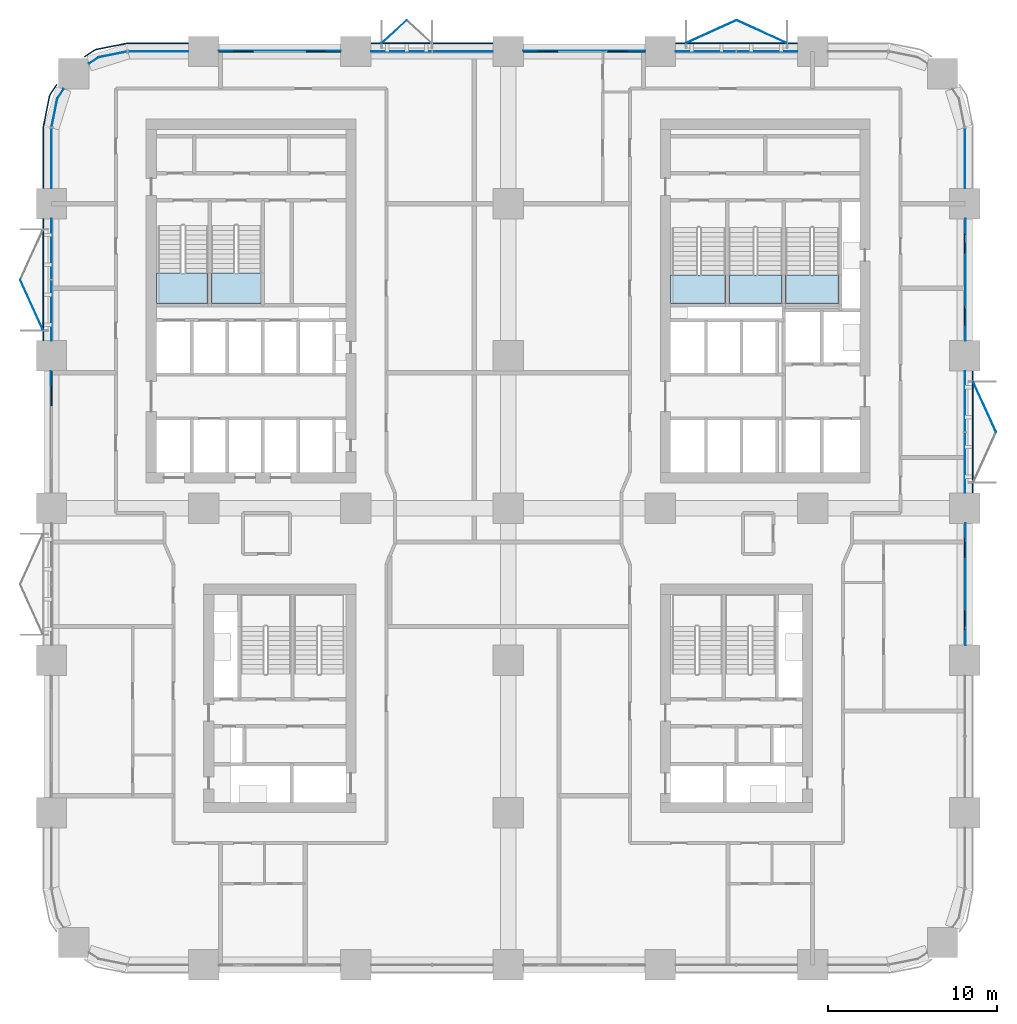
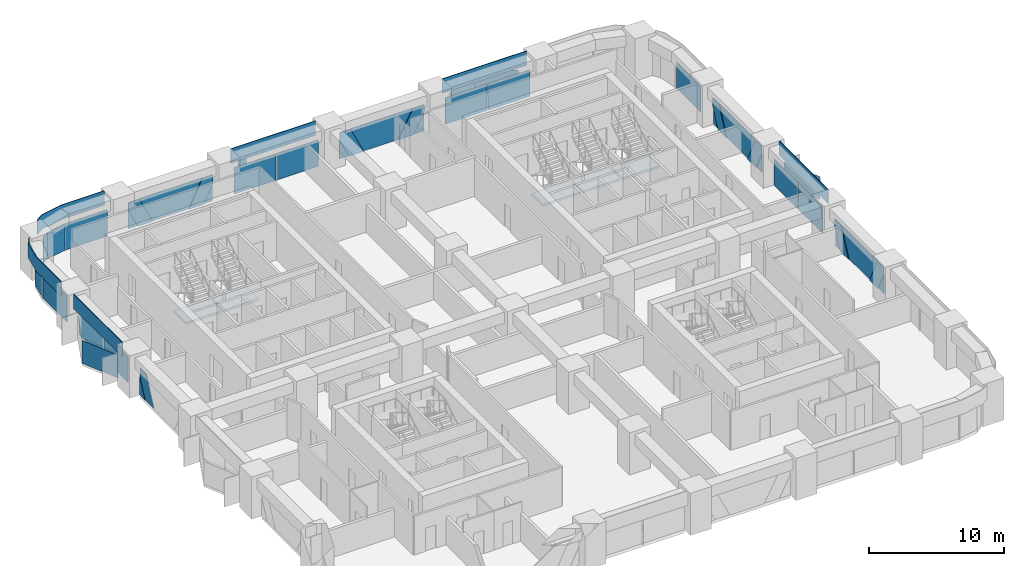
# One storey, part 10 of 21: 46 plates, 5 slabs, 17 elements without a shape of their own.
"""IFC4 building model written with IfcOpenShell, lengths in metres."""

from ifc_helpers import new_model, si_unit, direction, frame, origin, origin_2d, place, context, subcontext, project, spatial, polyline, rectangle, outline, extrude, material, layer, layer_set, type_object, element, aggregate, save


model = new_model("IFC4")

# Units and contexts
model_context = context("Model", 3, precision=1e-05, world=origin(), true_north=direction((0.0, 1.0)))
body_context = subcontext(model_context, "Body", "Model", "MODEL_VIEW")
ifc_project = project(units=[si_unit("LENGTHUNIT", "METRE"), si_unit("AREAUNIT", "SQUARE_METRE"), si_unit("VOLUMEUNIT", "CUBIC_METRE"), si_unit("PLANEANGLEUNIT", "RADIAN"), si_unit("MASSUNIT", "GRAM", prefix="KILO")], contexts=[model_context])

# Site, building, storey
site_placement = place(None, origin())
site = spatial("IfcSite", under=ifc_project, at=site_placement, CompositionType="ELEMENT")
building_placement = place(site_placement, origin())
building = spatial("IfcBuilding", under=site, at=building_placement, Name="Tessera Arch", CompositionType="ELEMENT")
storey_placement = place(building_placement, frame((0.0, 0.0, 42.39990234375)))
storey = spatial("IfcBuildingStorey", under=building, at=storey_placement, Name="L08", CompositionType="ELEMENT", Elevation=42.39990234375)

# Curtain wall, plates
ifc_material_1 = material(Name="CW1 curtain wall")
curtain_wall_type_1 = type_object("IfcCurtainWallType", Name="CW1 curtain wall", PredefinedType="NOTDEFINED", material=ifc_material_1)
curtain_wall_1_placement = place(storey_placement, origin())
curtain_wall_1 = element("IfcCurtainWall", 1, at=curtain_wall_1_placement, inside=storey, type_object=curtain_wall_type_1, Name="CW1 curtain wall E54.0/3 L08", PredefinedType="NOTDEFINED")
ifc_material_2 = material(Name="Clear low-e glass", Category="glass")
ifc_material_3 = material(Name="Clear low-e glass", Category="glass")
ifc_layer_1 = layer(ifc_material_3, 0.028076171875)
ifc_layer_set_1 = layer_set([ifc_layer_1], Name="CW1 glass panel")
plate_type_1 = type_object("IfcPlateType", Name="CW1 glass panel", PredefinedType="CURTAIN_PANEL", material=ifc_layer_set_1)
plate_1_placement = place(storey_placement, frame((54.0, 29.68505859375, 0.000244140625), z_axis=(0.0, 0.0, 1.0), x_axis=(0.0, 1.0, 0.0)))
plate_1 = element("IfcPlate", 2, at=plate_1_placement, type_object=plate_type_1, material=ifc_material_2, Name="CW1 glass panel E54.0/3 1.1.1", PredefinedType="CURTAIN_PANEL", context=body_context, shape_type="SweptSolid", body=[
    extrude(rectangle(XDim=3.570068359375, YDim=0.028076171875, at=origin_2d()), origin(), (0.0, 0.0, 1.0), 2.39990234375),
])
plate_2_placement = place(storey_placement, frame((54.0, 33.31494140625, 0.000244140625), z_axis=(0.0, 0.0, 1.0), x_axis=(0.0, 1.0, 0.0)))
plate_2 = element("IfcPlate", 3, at=plate_2_placement, type_object=plate_type_1, material=ifc_material_2, Name="CW1 glass panel E54.0/3 1.2.1", PredefinedType="CURTAIN_PANEL", context=body_context, shape_type="SweptSolid", body=[
    extrude(rectangle(XDim=3.570068359375, YDim=0.028076171875, at=origin_2d()), origin(), (0.0, 0.0, 1.0), 2.39990234375),
])

curtain_wall_2_placement = place(storey_placement, origin())
curtain_wall_2 = element("IfcCurtainWall", 4, at=curtain_wall_2_placement, inside=storey, type_object=curtain_wall_type_1, Name="CW1 curtain wall N54.0/1 L08", PredefinedType="NOTDEFINED")
plate_3_placement = place(storey_placement, frame((42.31494140625, 54.0, 0.000244140625), z_axis=(0.0, 0.0, 1.0), x_axis=(-1.0, 0.0, 0.0)))
plate_3 = element("IfcPlate", 5, at=plate_3_placement, type_object=plate_type_1, material=ifc_material_2, Name="CW1 glass panel N54.0/1 1.1.1", PredefinedType="CURTAIN_PANEL", context=body_context, shape_type="SweptSolid", body=[
    extrude(rectangle(XDim=3.570068359375, YDim=0.028076171875, at=origin_2d()), origin(), (0.0, 0.0, 1.0), 2.39990234375),
])
plate_4_placement = place(storey_placement, frame((38.68505859375, 54.0, 0.000244140625), z_axis=(0.0, 0.0, 1.0), x_axis=(-1.0, 0.0, 0.0)))
plate_4 = element("IfcPlate", 6, at=plate_4_placement, type_object=plate_type_1, material=ifc_material_2, Name="CW1 glass panel N54.0/1 1.2.1", PredefinedType="CURTAIN_PANEL", context=body_context, shape_type="SweptSolid", body=[
    extrude(rectangle(XDim=3.570068359375, YDim=0.028076171875, at=origin_2d()), origin(), (0.0, 0.0, 1.0), 2.39990234375),
])

curtain_wall_3_placement = place(storey_placement, origin())
curtain_wall_3 = element("IfcCurtainWall", 7, at=curtain_wall_3_placement, inside=storey, type_object=curtain_wall_type_1, Name="CW1 curtain wall N54.0/3 L08", PredefinedType="NOTDEFINED")
plate_5_placement = place(storey_placement, frame((24.31494140625, 54.0, 0.000244140625), z_axis=(0.0, 0.0, 1.0), x_axis=(-1.0, 0.0, 0.0)))
plate_5 = element("IfcPlate", 8, at=plate_5_placement, type_object=plate_type_1, material=ifc_material_2, Name="CW1 glass panel N54.0/3 1.1.1", PredefinedType="CURTAIN_PANEL", context=body_context, shape_type="SweptSolid", body=[
    extrude(rectangle(XDim=3.570068359375, YDim=0.028076171875, at=origin_2d()), origin(), (0.0, 0.0, 1.0), 2.39990234375),
])
plate_6_placement = place(storey_placement, frame((20.68505859375, 54.0, 0.000244140625), z_axis=(0.0, 0.0, 1.0), x_axis=(-1.0, 0.0, 0.0)))
plate_6 = element("IfcPlate", 9, at=plate_6_placement, type_object=plate_type_1, material=ifc_material_2, Name="CW1 glass panel N54.0/3 1.2.1", PredefinedType="CURTAIN_PANEL", context=body_context, shape_type="SweptSolid", body=[
    extrude(rectangle(XDim=3.570068359375, YDim=0.028076171875, at=origin_2d()), origin(), (0.0, 0.0, 1.0), 2.39990234375),
])

curtain_wall_4_placement = place(storey_placement, origin())
curtain_wall_4 = element("IfcCurtainWall", 10, at=curtain_wall_4_placement, inside=storey, type_object=curtain_wall_type_1, Name="CW1 curtain wall W0.0/1 L08", PredefinedType="NOTDEFINED")
plate_7_placement = place(storey_placement, frame((0.0, 42.31494140625, 0.000244140625), z_axis=(0.0, 0.0, 1.0), x_axis=(0.0, -1.0, 0.0)))
plate_7 = element("IfcPlate", 11, at=plate_7_placement, type_object=plate_type_1, material=ifc_material_2, Name="CW1 glass panel W0.0/1 1.1.1", PredefinedType="CURTAIN_PANEL", context=body_context, shape_type="SweptSolid", body=[
    extrude(rectangle(XDim=3.570068359375, YDim=0.028076171875, at=origin_2d()), origin(), (0.0, 0.0, 1.0), 2.39990234375),
])
plate_8_placement = place(storey_placement, frame((0.0, 38.68505859375, 0.000244140625), z_axis=(0.0, 0.0, 1.0), x_axis=(0.0, -1.0, 0.0)))
plate_8 = element("IfcPlate", 12, at=plate_8_placement, type_object=plate_type_1, material=ifc_material_2, Name="CW1 glass panel W0.0/1 1.2.1", PredefinedType="CURTAIN_PANEL", context=body_context, shape_type="SweptSolid", body=[
    extrude(rectangle(XDim=3.570068359375, YDim=0.028076171875, at=origin_2d()), origin(), (0.0, 0.0, 1.0), 2.39990234375),
])

# Plate
ifc_material_4 = material(Name="Pale anodised aluminium panel", Category="aluminium")
ifc_layer_2 = layer(ifc_material_4, 0.06005859375)
ifc_layer_set_2 = layer_set([ifc_layer_2], Name="CW1 spandrel panel")
plate_type_2 = type_object("IfcPlateType", Name="CW1 spandrel panel", PredefinedType="CURTAIN_PANEL", material=ifc_layer_set_2)
plate_9_placement = place(storey_placement, frame((54.47998046875, 31.5, 2.5), z_axis=(0.0, 0.0, 1.0), x_axis=(0.0, 1.0, 0.0)))
plate_9 = element("IfcPlate", 13, at=plate_9_placement, type_object=plate_type_2, Name="CW1 spandrel panel E54.0/3", PredefinedType="CURTAIN_PANEL", context=body_context, shape_type="SweptSolid", body=[
    extrude(rectangle(XDim=7.199951171875, YDim=0.06005859375, at=origin_2d()), origin(), (0.0, 0.0, 1.0), 1.300048828125),
])

aggregate(curtain_wall_1, [plate_1, plate_2, plate_9])

plate_10_placement = place(storey_placement, frame((40.5, 54.47998046875, 2.5), z_axis=(0.0, 0.0, 1.0), x_axis=(-1.0, 0.0, 0.0)))
plate_10 = element("IfcPlate", 14, at=plate_10_placement, type_object=plate_type_2, Name="CW1 spandrel panel N54.0/1", PredefinedType="CURTAIN_PANEL", context=body_context, shape_type="SweptSolid", body=[
    extrude(rectangle(XDim=7.199951171875, YDim=0.06005859375, at=origin_2d()), origin(), (0.0, 0.0, 1.0), 1.300048828125),
])

aggregate(curtain_wall_2, [plate_3, plate_4, plate_10])

plate_11_placement = place(storey_placement, frame((22.5, 54.47998046875, 2.5), z_axis=(0.0, 0.0, 1.0), x_axis=(-1.0, 0.0, 0.0)))
plate_11 = element("IfcPlate", 15, at=plate_11_placement, type_object=plate_type_2, Name="CW1 spandrel panel N54.0/3", PredefinedType="CURTAIN_PANEL", context=body_context, shape_type="SweptSolid", body=[
    extrude(rectangle(XDim=7.199951171875, YDim=0.06005859375, at=origin_2d()), origin(), (0.0, 0.0, 1.0), 1.300048828125),
])

aggregate(curtain_wall_3, [plate_5, plate_6, plate_11])

plate_12_placement = place(storey_placement, frame((-0.47998046875, 40.5, 2.5), z_axis=(0.0, 0.0, 1.0), x_axis=(0.0, -1.0, 0.0)))
plate_12 = element("IfcPlate", 16, at=plate_12_placement, type_object=plate_type_2, Name="CW1 spandrel panel W0.0/1", PredefinedType="CURTAIN_PANEL", context=body_context, shape_type="SweptSolid", body=[
    extrude(rectangle(XDim=7.199951171875, YDim=0.06005859375, at=origin_2d()), origin(), (0.0, 0.0, 1.0), 1.300048828125),
])

aggregate(curtain_wall_4, [plate_7, plate_8, plate_12])

# Curtain wall, plate
ifc_material_5 = material(Name="CW2 curtain wall")
curtain_wall_type_2 = type_object("IfcCurtainWallType", Name="CW2 curtain wall", PredefinedType="NOTDEFINED", material=ifc_material_5)
curtain_wall_5_placement = place(storey_placement, origin())
curtain_wall_5 = element("IfcCurtainWall", 17, at=curtain_wall_5_placement, inside=storey, type_object=curtain_wall_type_2, Name="CW2 curtain wall E54.0/5 L08", PredefinedType="NOTDEFINED")
ifc_material_6 = material(Name="Clear low-e glass", Category="glass")
ifc_layer_3 = layer(ifc_material_6, 0.028076171875)
ifc_layer_set_3 = layer_set([ifc_layer_3], Name="CW2 glass panel")
plate_type_3 = type_object("IfcPlateType", Name="CW2 glass panel", PredefinedType="CURTAIN_PANEL", material=ifc_layer_set_3)
plate_13_placement = place(storey_placement, frame((54.0, 47.679931640625, 0.000244140625), z_axis=(0.0, 0.0, 1.0), x_axis=(0.0, 1.0, 0.0)))
plate_13 = element("IfcPlate", 18, at=plate_13_placement, type_object=plate_type_3, material=ifc_material_2, Name="CW2 glass panel E54.0/5 1.1", PredefinedType="CURTAIN_PANEL", context=body_context, shape_type="SweptSolid", body=[
    extrude(rectangle(XDim=3.56005859375, YDim=0.028076171875, at=origin_2d()), origin(), (0.0, 0.0, 1.0), 2.39990234375),
])
aggregate(curtain_wall_5, [plate_13])

# Curtain wall, plates
curtain_wall_6_placement = place(storey_placement, origin())
curtain_wall_6 = element("IfcCurtainWall", 19, at=curtain_wall_6_placement, inside=storey, type_object=curtain_wall_type_2, Name="CW2 curtain wall N54.0/5 L08", PredefinedType="NOTDEFINED")
plate_14_placement = place(storey_placement, frame((6.320068359375, 54.0, 0.000244140625), z_axis=(0.0, 0.0, 1.0), x_axis=(-1.0, 0.0, 0.0)))
plate_14 = element("IfcPlate", 20, at=plate_14_placement, type_object=plate_type_3, material=ifc_material_2, Name="CW2 glass panel N54.0/5 1.1", PredefinedType="CURTAIN_PANEL", context=body_context, shape_type="SweptSolid", body=[
    extrude(rectangle(XDim=3.56005859375, YDim=0.028076171875, at=origin_2d()), origin(), (0.0, 0.0, 1.0), 2.39990234375),
])
plate_15_placement = place(storey_placement, origin())
plate_15 = element("IfcPlate", 21, at=plate_15_placement, type_object=plate_type_3, material=ifc_material_2, Name="CW2 curved glass panel N54.0/5 2.1", PredefinedType="CURTAIN_PANEL", context=body_context, shape_type="SweptSolid", body=[
    extrude(outline(polyline([(2.783447265625, 53.644287109375), (4.46337890625, 53.978515625), (4.4580078125, 54.005859375), (2.7724609375, 53.670654296875), (2.210205078125, 53.294921875), (2.225830078125, 53.271728515625), (2.783447265625, 53.644287109375)])), origin(), (0.0, 0.0, 1.0), 2.400146484375),
])

curtain_wall_7_placement = place(storey_placement, origin())
curtain_wall_7 = element("IfcCurtainWall", 22, at=curtain_wall_7_placement, inside=storey, type_object=curtain_wall_type_2, Name="CW2 curtain wall W0.0/0 L08", PredefinedType="NOTDEFINED")
plate_16_placement = place(storey_placement, frame((0.0, 47.679931640625, 0.000244140625), z_axis=(0.0, 0.0, 1.0), x_axis=(0.0, -1.0, 0.0)))
plate_16 = element("IfcPlate", 23, at=plate_16_placement, type_object=plate_type_3, material=ifc_material_2, Name="CW2 glass panel W0.0/0 1.1", PredefinedType="CURTAIN_PANEL", context=body_context, shape_type="SweptSolid", body=[
    extrude(rectangle(XDim=3.56005859375, YDim=0.028076171875, at=origin_2d()), origin(), (0.0, 0.0, 1.0), 2.39990234375),
])
plate_17_placement = place(storey_placement, origin())
plate_17 = element("IfcPlate", 24, at=plate_17_placement, type_object=plate_type_3, material=ifc_material_2, Name="CW2 curved glass panel W0.0/0 2.1", PredefinedType="CURTAIN_PANEL", context=body_context, shape_type="SweptSolid", body=[
    extrude(outline(polyline([(0.355712890625, 51.216552734375), (0.728271484375, 51.774169921875), (0.705078125, 51.789794921875), (0.329345703125, 51.2275390625), (-0.005859375, 49.5419921875), (0.021484375, 49.53662109375), (0.355712890625, 51.216552734375)])), origin(), (0.0, 0.0, 1.0), 2.400146484375),
])

# Plate
ifc_material_7 = material(Name="Pale anodised aluminium panel", Category="aluminium")
ifc_layer_4 = layer(ifc_material_7, 0.06005859375)
ifc_layer_set_4 = layer_set([ifc_layer_4], Name="CW2 spandrel panel")
plate_type_4 = type_object("IfcPlateType", Name="CW2 spandrel panel", PredefinedType="CURTAIN_PANEL", material=ifc_layer_set_4)
plate_18_placement = place(storey_placement, frame((0.0, 0.0, 2.5)))
plate_18 = element("IfcPlate", 25, at=plate_18_placement, type_object=plate_type_4, Name="CW2 spandrel panel N54.0/5", PredefinedType="CURTAIN_PANEL", context=body_context, shape_type="SweptSolid", body=[
    extrude(outline(polyline([(4.500732421875, 54.449951171875), (8.10009765625, 54.449951171875), (8.10009765625, 54.510009765625), (4.499267578125, 54.510009765625), (4.449951171875, 54.507568359375), (4.401123046875, 54.500244140625), (2.677734375, 54.157470703125), (2.6298828125, 54.1455078125), (2.582763671875, 54.128662109375), (2.537353515625, 54.107177734375), (2.4951171875, 54.08203125), (1.9345703125, 53.707275390625), (1.968017578125, 53.657470703125), (2.52734375, 54.03125), (2.565673828125, 54.05419921875), (2.605712890625, 54.0732421875), (2.647216796875, 54.088134765625), (2.69091796875, 54.09912109375), (4.411376953125, 54.441162109375), (4.455810546875, 54.44775390625), (4.500732421875, 54.449951171875)])), origin(), (0.0, 0.0, 1.0), 1.300048828125),
])

aggregate(curtain_wall_6, [plate_14, plate_15, plate_18])

plate_19_placement = place(storey_placement, frame((0.0, 0.0, 2.5)))
plate_19 = element("IfcPlate", 26, at=plate_19_placement, type_object=plate_type_4, Name="CW2 spandrel panel W0.0/0", PredefinedType="CURTAIN_PANEL", context=body_context, shape_type="SweptSolid", body=[
    extrude(outline(polyline([(-0.03125, 51.47265625), (0.342529296875, 52.031982421875), (0.292724609375, 52.0654296875), (-0.08203125, 51.5048828125), (-0.107177734375, 51.462646484375), (-0.128662109375, 51.417236328125), (-0.1455078125, 51.3701171875), (-0.157470703125, 51.322265625), (-0.500244140625, 49.598876953125), (-0.507568359375, 49.550048828125), (-0.510009765625, 49.500732421875), (-0.510009765625, 45.89990234375), (-0.449951171875, 45.89990234375), (-0.449951171875, 49.499267578125), (-0.44775390625, 49.544189453125), (-0.441162109375, 49.588623046875), (-0.09912109375, 51.30908203125), (-0.088134765625, 51.352783203125), (-0.0732421875, 51.394287109375), (-0.05419921875, 51.434326171875), (-0.03125, 51.47265625)])), origin(), (0.0, 0.0, 1.0), 1.300048828125),
])

aggregate(curtain_wall_7, [plate_16, plate_17, plate_19])

# Curtain wall, plates
ifc_material_8 = material(Name="CW3 curtain wall")
curtain_wall_type_3 = type_object("IfcCurtainWallType", Name="CW3 curtain wall", PredefinedType="NOTDEFINED", material=ifc_material_8)
curtain_wall_8_placement = place(storey_placement, origin())
curtain_wall_8 = element("IfcCurtainWall", 27, at=curtain_wall_8_placement, inside=storey, type_object=curtain_wall_type_3, Name="CW3 curtain wall E54.0/2 L08", PredefinedType="NOTDEFINED")
ifc_material_9 = material(Name="Pale anodised aluminium panel", Category="aluminium")
ifc_layer_5 = layer(ifc_material_9, 0.06005859375)
ifc_layer_set_5 = layer_set([ifc_layer_5], Name="CW3 diagonal panel")
plate_type_5 = type_object("IfcPlateType", Name="CW3 diagonal panel", PredefinedType="CURTAIN_PANEL", material=ifc_layer_set_5)
plate_20_placement = place(storey_placement, frame((54.030029296875, 26.10009765625, 2.400146484375), z_axis=(1.0, 0.0, 0.0), x_axis=(0.0, -1.0, 0.0)))
plate_20 = element("IfcPlate", 28, at=plate_20_placement, type_object=plate_type_5, Name="CW3 diagonal panel E54.0/2 1", PredefinedType="CURTAIN_PANEL", context=body_context, shape_type="SweptSolid", body=[
    extrude(outline(polyline([(0.0, 0.0), (0.912841796875, 0.0), (2.049560546875, 2.400146484375), (0.792724609375, 2.400146484375), (0.0, 0.726806640625), (0.0, 0.0)])), origin(), (0.0, 0.0, -1.0), 0.06005859375),
])
plate_21_placement = place(storey_placement, frame((54.030029296875, 18.89990234375, 2.400146484375), z_axis=(1.0, 0.0, 0.0), x_axis=(0.0, 0.0, -1.0)))
plate_21 = element("IfcPlate", 29, at=plate_21_placement, type_object=plate_type_5, Name="CW3 diagonal panel E54.0/2 2", PredefinedType="CURTAIN_PANEL", context=body_context, shape_type="SweptSolid", body=[
    extrude(outline(polyline([(0.0, 0.0), (0.726806640625, 0.0), (2.400146484375, 0.792724609375), (2.400146484375, 2.049560546875), (0.0, 0.912841796875), (0.0, 0.0)])), origin(), (0.0, 0.0, -1.0), 0.06005859375),
])

curtain_wall_9_placement = place(storey_placement, origin())
curtain_wall_9 = element("IfcCurtainWall", 30, at=curtain_wall_9_placement, inside=storey, type_object=curtain_wall_type_3, Name="CW3 curtain wall E54.0/4 L08", PredefinedType="NOTDEFINED")
plate_22_placement = place(storey_placement, frame((54.030029296875, 44.10009765625, 2.400146484375), z_axis=(1.0, 0.0, 0.0), x_axis=(0.0, -1.0, 0.0)))
plate_22 = element("IfcPlate", 31, at=plate_22_placement, type_object=plate_type_5, Name="CW3 diagonal panel E54.0/4 1", PredefinedType="CURTAIN_PANEL", context=body_context, shape_type="SweptSolid", body=[
    extrude(outline(polyline([(0.0, 0.0), (0.912841796875, 0.0), (2.049560546875, 2.400146484375), (0.792724609375, 2.400146484375), (0.0, 0.726806640625), (0.0, 0.0)])), origin(), (0.0, 0.0, -1.0), 0.06005859375),
])
plate_23_placement = place(storey_placement, frame((54.030029296875, 36.89990234375, 2.400146484375), z_axis=(1.0, 0.0, 0.0), x_axis=(0.0, 0.0, -1.0)))
plate_23 = element("IfcPlate", 32, at=plate_23_placement, type_object=plate_type_5, Name="CW3 diagonal panel E54.0/4 2", PredefinedType="CURTAIN_PANEL", context=body_context, shape_type="SweptSolid", body=[
    extrude(outline(polyline([(0.0, 0.0), (0.726806640625, 0.0), (2.400146484375, 0.792724609375), (2.400146484375, 2.049560546875), (0.0, 0.912841796875), (0.0, 0.0)])), origin(), (0.0, 0.0, -1.0), 0.06005859375),
])

curtain_wall_10_placement = place(storey_placement, origin())
curtain_wall_10 = element("IfcCurtainWall", 33, at=curtain_wall_10_placement, inside=storey, type_object=curtain_wall_type_3, Name="CW3 curtain wall N54.0/2 L08", PredefinedType="NOTDEFINED")
plate_24_placement = place(storey_placement, frame((27.89990234375, 54.030029296875, 2.400146484375), z_axis=(0.0, 1.0, 0.0), x_axis=(1.0, 0.0, 0.0)))
plate_24 = element("IfcPlate", 34, at=plate_24_placement, type_object=plate_type_5, Name="CW3 diagonal panel N54.0/2 1", PredefinedType="CURTAIN_PANEL", context=body_context, shape_type="SweptSolid", body=[
    extrude(outline(polyline([(0.0, 0.0), (0.912841796875, 0.0), (2.049560546875, 2.400146484375), (0.792724609375, 2.400146484375), (0.0, 0.726806640625), (0.0, 0.0)])), origin(), (0.0, 0.0, -1.0), 0.06005859375),
])
plate_25_placement = place(storey_placement, frame((35.10009765625, 54.030029296875, 2.400146484375), z_axis=(0.0, 1.0, 0.0), x_axis=(0.0, 0.0, -1.0)))
plate_25 = element("IfcPlate", 35, at=plate_25_placement, type_object=plate_type_5, Name="CW3 diagonal panel N54.0/2 2", PredefinedType="CURTAIN_PANEL", context=body_context, shape_type="SweptSolid", body=[
    extrude(outline(polyline([(0.0, 0.0), (0.6162109375, 0.0), (2.400146484375, 0.9423828125), (2.400146484375, 2.227294921875), (0.0, 0.95947265625), (0.0, 0.0)])), origin(), (0.0, 0.0, -1.0), 0.06005859375),
])

curtain_wall_11_placement = place(storey_placement, origin())
curtain_wall_11 = element("IfcCurtainWall", 36, at=curtain_wall_11_placement, inside=storey, type_object=curtain_wall_type_3, Name="CW3 curtain wall N54.0/4 L08", PredefinedType="NOTDEFINED")
plate_26_placement = place(storey_placement, frame((9.89990234375, 54.030029296875, 2.400146484375), z_axis=(0.0, 1.0, 0.0), x_axis=(1.0, 0.0, 0.0)))
plate_26 = element("IfcPlate", 37, at=plate_26_placement, type_object=plate_type_5, Name="CW3 diagonal panel N54.0/4 1", PredefinedType="CURTAIN_PANEL", context=body_context, shape_type="SweptSolid", body=[
    extrude(outline(polyline([(0.0, 0.0), (0.912841796875, 0.0), (2.049560546875, 2.400146484375), (0.792724609375, 2.400146484375), (0.0, 0.726806640625), (0.0, 0.0)])), origin(), (0.0, 0.0, -1.0), 0.06005859375),
])
plate_27_placement = place(storey_placement, frame((17.10009765625, 54.030029296875, 2.400146484375), z_axis=(0.0, 1.0, 0.0), x_axis=(0.0, 0.0, -1.0)))
plate_27 = element("IfcPlate", 38, at=plate_27_placement, type_object=plate_type_5, Name="CW3 diagonal panel N54.0/4 2", PredefinedType="CURTAIN_PANEL", context=body_context, shape_type="SweptSolid", body=[
    extrude(outline(polyline([(0.0, 0.0), (0.726806640625, 0.0), (2.400146484375, 0.792724609375), (2.400146484375, 2.049560546875), (0.0, 0.912841796875), (0.0, 0.0)])), origin(), (0.0, 0.0, -1.0), 0.06005859375),
])

# Curtain wall, plate
curtain_wall_12_placement = place(storey_placement, origin())
curtain_wall_12 = element("IfcCurtainWall", 39, at=curtain_wall_12_placement, inside=storey, type_object=curtain_wall_type_3, Name="CW3 curtain wall W0.0/2 L08", PredefinedType="NOTDEFINED")
plate_28_placement = place(storey_placement, frame((-0.030029296875, 35.10009765625, 2.400146484375), z_axis=(-1.0, 0.0, 0.0), x_axis=(0.0, 0.0, -1.0)))
plate_28 = element("IfcPlate", 40, at=plate_28_placement, type_object=plate_type_5, Name="CW3 diagonal panel W0.0/2 2", PredefinedType="CURTAIN_PANEL", context=body_context, shape_type="SweptSolid", body=[
    extrude(outline(polyline([(0.0, 0.0), (0.726806640625, 0.0), (2.400146484375, 0.792724609375), (2.400146484375, 2.049560546875), (0.0, 0.912841796875), (0.0, 0.0)])), origin(), (0.0, 0.0, -1.0), 0.06005859375),
])

# Plate
ifc_material_10 = material(Name="Clear low-e glass", Category="glass")
ifc_layer_6 = layer(ifc_material_10, 0.028076171875)
ifc_layer_set_6 = layer_set([ifc_layer_6], Name="CW3 glass panel")
plate_type_6 = type_object("IfcPlateType", Name="CW3 glass panel", PredefinedType="CURTAIN_PANEL", material=ifc_layer_set_6)
plate_29_placement = place(storey_placement, frame((54.05810546875, 18.89990234375, 0.0), z_axis=(1.0, 0.0, 0.0), x_axis=(0.0, 1.0, 0.0)))
plate_29 = element("IfcPlate", 41, at=plate_29_placement, type_object=plate_type_6, material=ifc_material_2, Name="CW3 triangulated glass panel E54.0/2 1", PredefinedType="CURTAIN_PANEL", context=body_context, shape_type="SweptSolid", body=[
    extrude(outline(polyline([(0.0, 0.0), (0.792724609375, 0.0), (0.0, 1.67333984375), (0.0, 0.0)])), origin(), (0.0, 0.0, -1.0), 0.028076171875),
])

plate_30_placement = place(storey_placement, frame((54.05810546875, 25.187255859375, 2.400146484375), z_axis=(1.0, 0.0, 0.0), x_axis=(0.0, -1.0, 0.0)))
plate_30 = element("IfcPlate", 42, at=plate_30_placement, type_object=plate_type_6, material=ifc_material_2, Name="CW3 triangulated glass panel E54.0/2 2", PredefinedType="CURTAIN_PANEL", context=body_context, shape_type="SweptSolid", body=[
    extrude(outline(polyline([(0.0, 0.0), (5.37451171875, 0.0), (4.23779296875, 2.400146484375), (1.13671875, 2.400146484375), (0.0, 0.0)])), origin(), (0.0, 0.0, -1.0), 0.028076171875),
])

plate_31_placement = place(storey_placement, frame((54.05810546875, 26.10009765625, 0.0), z_axis=(1.0, 0.0, 0.0), x_axis=(0.0, 0.0, 1.0)))
plate_31 = element("IfcPlate", 43, at=plate_31_placement, type_object=plate_type_6, material=ifc_material_2, Name="CW3 triangulated glass panel E54.0/2 3", PredefinedType="CURTAIN_PANEL", context=body_context, shape_type="SweptSolid", body=[
    extrude(outline(polyline([(0.0, 0.0), (1.67333984375, 0.0), (0.0, 0.792724609375), (0.0, 0.0)])), origin(), (0.0, 0.0, -1.0), 0.028076171875),
])

aggregate(curtain_wall_8, [plate_29, plate_30, plate_31, plate_20, plate_21])

plate_32_placement = place(storey_placement, frame((54.05810546875, 36.89990234375, 0.0), z_axis=(1.0, 0.0, 0.0), x_axis=(0.0, 1.0, 0.0)))
plate_32 = element("IfcPlate", 44, at=plate_32_placement, type_object=plate_type_6, material=ifc_material_2, Name="CW3 triangulated glass panel E54.0/4 1", PredefinedType="CURTAIN_PANEL", context=body_context, shape_type="SweptSolid", body=[
    extrude(outline(polyline([(0.0, 0.0), (0.792724609375, 0.0), (0.0, 1.67333984375), (0.0, 0.0)])), origin(), (0.0, 0.0, -1.0), 0.028076171875),
])

plate_33_placement = place(storey_placement, frame((54.05810546875, 43.187255859375, 2.400146484375), z_axis=(1.0, 0.0, 0.0), x_axis=(0.0, -1.0, 0.0)))
plate_33 = element("IfcPlate", 45, at=plate_33_placement, type_object=plate_type_6, material=ifc_material_2, Name="CW3 triangulated glass panel E54.0/4 2", PredefinedType="CURTAIN_PANEL", context=body_context, shape_type="SweptSolid", body=[
    extrude(outline(polyline([(0.0, 0.0), (5.37451171875, 0.0), (4.23779296875, 2.400146484375), (1.13671875, 2.400146484375), (0.0, 0.0)])), origin(), (0.0, 0.0, -1.0), 0.028076171875),
])

plate_34_placement = place(storey_placement, frame((54.05810546875, 44.10009765625, 0.0), z_axis=(1.0, 0.0, 0.0), x_axis=(0.0, 0.0, 1.0)))
plate_34 = element("IfcPlate", 46, at=plate_34_placement, type_object=plate_type_6, material=ifc_material_2, Name="CW3 triangulated glass panel E54.0/4 3", PredefinedType="CURTAIN_PANEL", context=body_context, shape_type="SweptSolid", body=[
    extrude(outline(polyline([(0.0, 0.0), (1.67333984375, 0.0), (0.0, 0.792724609375), (0.0, 0.0)])), origin(), (0.0, 0.0, -1.0), 0.028076171875),
])

aggregate(curtain_wall_9, [plate_32, plate_33, plate_34, plate_22, plate_23])

plate_35_placement = place(storey_placement, frame((35.10009765625, 54.05810546875, 0.0), z_axis=(0.0, 1.0, 0.0), x_axis=(-1.0, 0.0, 0.0)))
plate_35 = element("IfcPlate", 47, at=plate_35_placement, type_object=plate_type_6, material=ifc_material_2, Name="CW3 triangulated glass panel N54.0/2 1", PredefinedType="CURTAIN_PANEL", context=body_context, shape_type="SweptSolid", body=[
    extrude(outline(polyline([(0.0, 0.0), (0.9423828125, 0.0), (0.0, 1.783935546875), (0.0, 0.0)])), origin(), (0.0, 0.0, -1.0), 0.028076171875),
])

plate_36_placement = place(storey_placement, frame((28.812744140625, 54.05810546875, 2.400146484375), z_axis=(0.0, 1.0, 0.0), x_axis=(1.0, 0.0, 0.0)))
plate_36 = element("IfcPlate", 48, at=plate_36_placement, type_object=plate_type_6, material=ifc_material_2, Name="CW3 triangulated glass panel N54.0/2 2", PredefinedType="CURTAIN_PANEL", context=body_context, shape_type="SweptSolid", body=[
    extrude(outline(polyline([(0.0, 0.0), (5.327880859375, 0.0), (4.06005859375, 2.400146484375), (1.13671875, 2.400146484375), (0.0, 0.0)])), origin(), (0.0, 0.0, -1.0), 0.028076171875),
])

plate_37_placement = place(storey_placement, frame((27.89990234375, 54.05810546875, 0.0), z_axis=(0.0, 1.0, 0.0), x_axis=(0.0, 0.0, 1.0)))
plate_37 = element("IfcPlate", 49, at=plate_37_placement, type_object=plate_type_6, material=ifc_material_2, Name="CW3 triangulated glass panel N54.0/2 3", PredefinedType="CURTAIN_PANEL", context=body_context, shape_type="SweptSolid", body=[
    extrude(outline(polyline([(0.0, 0.0), (1.67333984375, 0.0), (0.0, 0.792724609375), (0.0, 0.0)])), origin(), (0.0, 0.0, -1.0), 0.028076171875),
])

aggregate(curtain_wall_10, [plate_35, plate_36, plate_37, plate_24, plate_25])

plate_38_placement = place(storey_placement, frame((17.10009765625, 54.05810546875, 0.0), z_axis=(0.0, 1.0, 0.0), x_axis=(-1.0, 0.0, 0.0)))
plate_38 = element("IfcPlate", 50, at=plate_38_placement, type_object=plate_type_6, material=ifc_material_2, Name="CW3 triangulated glass panel N54.0/4 1", PredefinedType="CURTAIN_PANEL", context=body_context, shape_type="SweptSolid", body=[
    extrude(outline(polyline([(0.0, 0.0), (0.792724609375, 0.0), (0.0, 1.67333984375), (0.0, 0.0)])), origin(), (0.0, 0.0, -1.0), 0.028076171875),
])

plate_39_placement = place(storey_placement, frame((10.812744140625, 54.05810546875, 2.400146484375), z_axis=(0.0, 1.0, 0.0), x_axis=(1.0, 0.0, 0.0)))
plate_39 = element("IfcPlate", 51, at=plate_39_placement, type_object=plate_type_6, material=ifc_material_2, Name="CW3 triangulated glass panel N54.0/4 2", PredefinedType="CURTAIN_PANEL", context=body_context, shape_type="SweptSolid", body=[
    extrude(outline(polyline([(0.0, 0.0), (5.37451171875, 0.0), (4.23779296875, 2.400146484375), (1.13671875, 2.400146484375), (0.0, 0.0)])), origin(), (0.0, 0.0, -1.0), 0.028076171875),
])

plate_40_placement = place(storey_placement, frame((9.89990234375, 54.05810546875, 0.0), z_axis=(0.0, 1.0, 0.0), x_axis=(0.0, 0.0, 1.0)))
plate_40 = element("IfcPlate", 52, at=plate_40_placement, type_object=plate_type_6, material=ifc_material_2, Name="CW3 triangulated glass panel N54.0/4 3", PredefinedType="CURTAIN_PANEL", context=body_context, shape_type="SweptSolid", body=[
    extrude(outline(polyline([(0.0, 0.0), (1.67333984375, 0.0), (0.0, 0.792724609375), (0.0, 0.0)])), origin(), (0.0, 0.0, -1.0), 0.028076171875),
])

aggregate(curtain_wall_11, [plate_38, plate_39, plate_40, plate_26, plate_27])

plate_41_placement = place(storey_placement, frame((-0.05810546875, 35.10009765625, 0.0), z_axis=(-1.0, 0.0, 0.0), x_axis=(0.0, -1.0, 0.0)))
plate_41 = element("IfcPlate", 53, at=plate_41_placement, type_object=plate_type_6, material=ifc_material_2, Name="CW3 triangulated glass panel W0.0/2 1", PredefinedType="CURTAIN_PANEL", context=body_context, shape_type="SweptSolid", body=[
    extrude(outline(polyline([(0.0, 0.0), (0.792724609375, 0.0), (0.0, 1.67333984375), (0.0, 0.0)])), origin(), (0.0, 0.0, -1.0), 0.028076171875),
])

aggregate(curtain_wall_12, [plate_41, plate_28])

# Stair, slab
ifc_material_11 = material(Name="Concrete C40/50", Category="concrete")
stair_type_1 = type_object("IfcStairType", Name="Dogleg stair 1520", PredefinedType="HALF_TURN_STAIR", material=ifc_material_11)
stair_1_placement = place(storey_placement, origin())
stair_1 = element("IfcStair", 54, at=stair_1_placement, inside=storey, type_object=stair_type_1, Name="L08 S1a", PredefinedType="HALF_TURN_STAIR")
ifc_material_12 = material(Name="Concrete C40/50", Category="concrete")
ifc_layer_7 = layer(ifc_material_12, 0.300048828125)
ifc_layer_set_7 = layer_set([ifc_layer_7], Name="Stair landing 300")
slab_type = type_object("IfcSlabType", Name="Stair landing 300", PredefinedType="LANDING", material=ifc_layer_set_7)
slab_1_placement = place(storey_placement, frame((0.0, 0.0, 1.7001953125)))
slab_1 = element("IfcSlab", 55, at=slab_1_placement, type_object=slab_type, Name="S1a landing 1", PredefinedType="LANDING", context=body_context, shape_type="SweptSolid", body=[
    extrude(outline(polyline([(36.60009765625, 40.780029296875), (36.60009765625, 39.10009765625), (39.85009765625, 39.10009765625), (39.85009765625, 40.780029296875), (36.60009765625, 40.780029296875)])), origin(), (0.0, 0.0, 1.0), 0.199951171875),
])
aggregate(stair_1, [slab_1])

stair_2_placement = place(storey_placement, origin())
stair_2 = element("IfcStair", 56, at=stair_2_placement, inside=storey, type_object=stair_type_1, Name="L08 S1b", PredefinedType="HALF_TURN_STAIR")
slab_2_placement = place(storey_placement, frame((0.0, 0.0, 1.7001953125)))
slab_2 = element("IfcSlab", 57, at=slab_2_placement, type_object=slab_type, Name="S1b landing 1", PredefinedType="LANDING", context=body_context, shape_type="SweptSolid", body=[
    extrude(outline(polyline([(40.050048828125, 40.780029296875), (40.050048828125, 39.10009765625), (43.199951171875, 39.10009765625), (43.199951171875, 40.780029296875), (40.050048828125, 40.780029296875)])), origin(), (0.0, 0.0, 1.0), 0.199951171875),
])
aggregate(stair_2, [slab_2])

stair_3_placement = place(storey_placement, origin())
stair_3 = element("IfcStair", 58, at=stair_3_placement, inside=storey, type_object=stair_type_1, Name="L08 S1c", PredefinedType="HALF_TURN_STAIR")
slab_3_placement = place(storey_placement, frame((0.0, 0.0, 1.7001953125)))
slab_3 = element("IfcSlab", 59, at=slab_3_placement, type_object=slab_type, Name="S1c landing 1", PredefinedType="LANDING", context=body_context, shape_type="SweptSolid", body=[
    extrude(outline(polyline([(43.39990234375, 40.780029296875), (43.39990234375, 39.10009765625), (46.550048828125, 39.10009765625), (46.550048828125, 40.780029296875), (43.39990234375, 40.780029296875)])), origin(), (0.0, 0.0, 1.0), 0.199951171875),
])
aggregate(stair_3, [slab_3])

ifc_material_13 = material(Name="Concrete C40/50", Category="concrete")
stair_type_2 = type_object("IfcStairType", Name="Dogleg stair 1400", PredefinedType="HALF_TURN_STAIR", material=ifc_material_13)
stair_4_placement = place(storey_placement, origin())
stair_4 = element("IfcStair", 60, at=stair_4_placement, inside=storey, type_object=stair_type_2, Name="L08 S2a", PredefinedType="HALF_TURN_STAIR")
slab_4_placement = place(storey_placement, frame((0.0, 0.0, 1.7001953125)))
slab_4 = element("IfcSlab", 61, at=slab_4_placement, type_object=slab_type, Name="S2a landing 1", PredefinedType="LANDING", context=body_context, shape_type="SweptSolid", body=[
    extrude(outline(polyline([(6.199951171875, 40.89990234375), (6.199951171875, 39.10009765625), (9.25, 39.10009765625), (9.25, 40.89990234375), (6.199951171875, 40.89990234375)])), origin(), (0.0, 0.0, 1.0), 0.199951171875),
])
aggregate(stair_4, [slab_4])

stair_5_placement = place(storey_placement, origin())
stair_5 = element("IfcStair", 62, at=stair_5_placement, inside=storey, type_object=stair_type_2, Name="L08 S2b", PredefinedType="HALF_TURN_STAIR")
slab_5_placement = place(storey_placement, frame((0.0, 0.0, 1.7001953125)))
slab_5 = element("IfcSlab", 63, at=slab_5_placement, type_object=slab_type, Name="S2b landing 1", PredefinedType="LANDING", context=body_context, shape_type="SweptSolid", body=[
    extrude(outline(polyline([(9.449951171875, 40.89990234375), (9.449951171875, 39.10009765625), (12.39990234375, 39.10009765625), (12.39990234375, 40.89990234375), (9.449951171875, 40.89990234375)])), origin(), (0.0, 0.0, 1.0), 0.199951171875),
])
aggregate(stair_5, [slab_5])

# Plates
ifc_material_14 = material(Name="Clear low-e glass", Category="glass")
ifc_layer_8 = layer(ifc_material_14, 0.028076171875)
ifc_layer_set_8 = layer_set([ifc_layer_8], Name="Window box glass facet")
plate_type_7 = type_object("IfcPlateType", Name="Window box glass facet", PredefinedType="SHEET", material=ifc_layer_set_8)
plate_42_placement = place(storey_placement, frame((20.27490234375, 55.179931640625, 0.219970703125), z_axis=(0.0, 0.0, 1.0), x_axis=(0.734414958885, 0.678700720617, 0.0)))
element("IfcPlate", 64, at=plate_42_placement, inside=storey, type_object=plate_type_7, Name="Window box N54.0/3.1 1x1 glass", PredefinedType="SHEET", context=body_context, shape_type="SweptSolid", body=[
    extrude(rectangle(XDim=1.974365234375, YDim=0.028076171875, at=origin_2d()), origin(), (0.0, 0.0, 1.0), 2.06005859375),
])
for number, where, z_axis, x_axis, name in (
    (65, (41.97509765625, 55.179931640625, 0.219970703125), (0.0, 0.0, 1.0), (-0.910472144558, 0.413570397858, 0.0), "Window box N54.0/1.0 2x1 glass"),
    (66, (39.02490234375, 55.179931640625, 0.219970703125), (0.0, 0.0, 1.0), (0.910472144558, 0.413570397858, 0.0), "Window box N54.0/1.0 2x1 glass"),
    (67, (-1.179931640625, 39.02490234375, 0.219970703125), (0.0, 0.0, 1.0), (-0.413570397858, 0.910472144558, 0.0), "Window box W0.0/1.0 2x1 glass"),
    (68, (55.179931640625, 32.97509765625, 0.219970703125), (0.0, 0.0, 1.0), (0.413570397858, -0.910472144558, 0.0), "Window box E54.0/3.0 2x1 glass"),
):
    element("IfcPlate", number, at=place(storey_placement, frame(where, z_axis=z_axis, x_axis=x_axis)), inside=storey, type_object=plate_type_7, Name=name, PredefinedType="SHEET", context=body_context, shape_type="SweptSolid", body=[
        extrude(rectangle(XDim=3.239990234375, YDim=0.028076171875, at=origin_2d()), origin(), (0.0, 0.0, 1.0), 2.06005859375),
    ])

save(model, "model.ifc")
